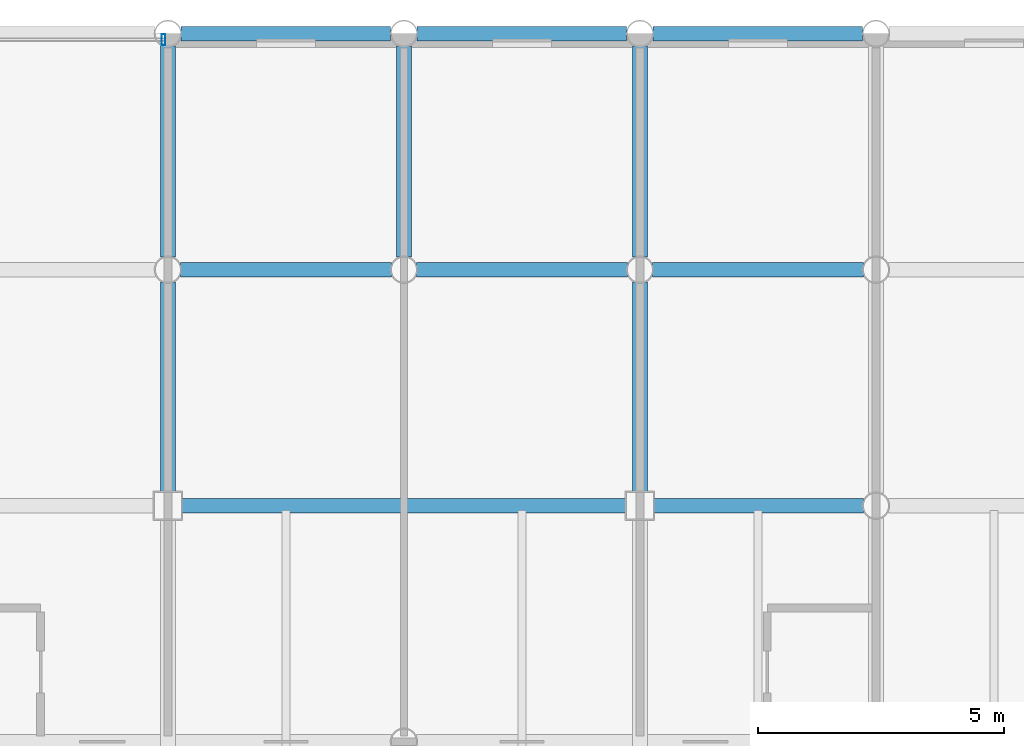
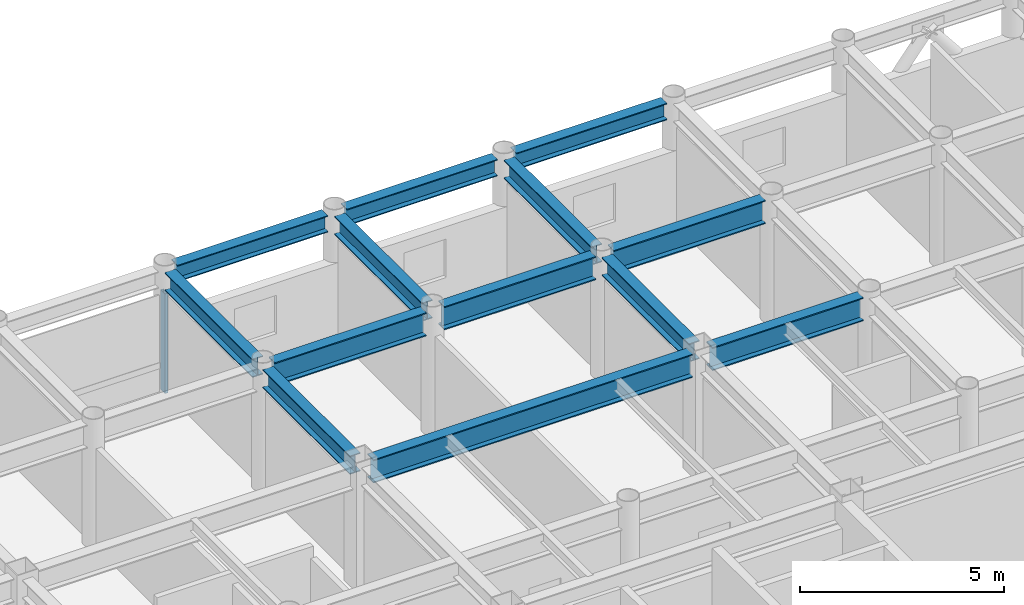
# One storey, part 15 of 24: 13 beams, 1 member, 1 element without a shape of its own.
"""IFC4 building model written with IfcOpenShell, lengths in metres."""

import ifcopenshell
import ifcopenshell.guid

model = None  # the IFC model being written
_history = None  # IfcOwnerHistory: only IFC2X3 demands one
_inside = {}  # id of a spatial element -> (the spatial element, [elements in it])
_under = {}  # id of a project, library or spatial element -> (it, [spatial elements below it])
_declared = {}  # id of a project -> (the project, [libraries it declares])
_typed = {}  # id of a type object -> (the type object, [elements of that type])
_made_of = {}  # id of a material, layer set ... -> (it, [elements and type objects made of it])


def new_model(schema):
    """Start an empty IFC model of exactly this schema.

    Asked for "IFC4X3", IfcOpenShell would pick the latest addendum, in which some entities
    have other attributes; the version numbers below select the first issue.
    IFC2X3 requires an IfcOwnerHistory on every rooted entity: one is made here for all.
    """
    global model, _history
    if schema == "IFC4X3":
        model = ifcopenshell.file(schema_version=(4, 3, 0, 0))
    else:
        model = ifcopenshell.file(schema=schema)
    _inside.clear()
    _under.clear()
    _declared.clear()
    _typed.clear()
    _made_of.clear()
    _history = None
    if model.schema == "IFC2X3":
        org = make("IfcOrganization", Name="unknown")
        user = make(
            "IfcPersonAndOrganization",
            ThePerson=make("IfcPerson", FamilyName="unknown"),
            TheOrganization=org,
        )
        app = make(
            "IfcApplication",
            ApplicationDeveloper=org,
            Version="unknown",
            ApplicationFullName="unknown",
            ApplicationIdentifier="unknown",
        )
        _history = make(
            "IfcOwnerHistory",
            OwningUser=user,
            OwningApplication=app,
            ChangeAction="ADDED",
            CreationDate=0,
        )
    return model


def make(cls, **values):
    """One entity of the class cls with the attributes given. An attribute that is None is left unset."""
    return model.create_entity(
        cls, **{name: value for name, value in values.items() if value is not None}
    )


def rooted(cls, **values):
    """An entity with a GlobalId (a new one), such as an element, a storey or a relation."""
    return make(cls, GlobalId=ifcopenshell.guid.new(), OwnerHistory=_history, **values)


def si_unit(unit_type, name, prefix=None):
    """IfcSIUnit, for example si_unit("LENGTHUNIT", "METRE", prefix="MILLI")."""
    return make("IfcSIUnit", UnitType=unit_type, Prefix=prefix, Name=name)


def assignment(units):
    """IfcUnitAssignment: the units of a project."""
    return None if units is None else make("IfcUnitAssignment", Units=units)


def point(xyz):
    """IfcCartesianPoint."""
    return None if xyz is None else make("IfcCartesianPoint", Coordinates=xyz)


def direction(xyz):
    """IfcDirection."""
    return None if xyz is None else make("IfcDirection", DirectionRatios=xyz)


def frame(location, z_axis=None, x_axis=None):
    """IfcAxis2Placement3D, a coordinate frame: its origin and axes. An axis left out is left unset."""
    return make(
        "IfcAxis2Placement3D",
        Location=point(location),
        Axis=direction(z_axis),
        RefDirection=direction(x_axis),
    )


def frame_2d(location, x_axis=None):
    """IfcAxis2Placement2D, a coordinate frame in the plane: its origin and x axis."""
    return make(
        "IfcAxis2Placement2D", Location=point(location), RefDirection=direction(x_axis)
    )


def origin():
    """The frame at (0, 0, 0) with its axes left unset."""
    return frame((0.0, 0.0, 0.0))


def origin_2d():
    """The frame at (0, 0) in the plane with its x axis left unset."""
    return frame_2d((0.0, 0.0))


def place(relative_to, where):
    """IfcLocalPlacement: puts the frame where relative to a parent placement (None: the world)."""
    return make(
        "IfcLocalPlacement", PlacementRelTo=relative_to, RelativePlacement=where
    )


def context(
    kind, dimensions, precision=None, world=None, true_north=None, identifier=None
):
    """IfcGeometricRepresentationContext, for example the 3D "Model" context."""
    return make(
        "IfcGeometricRepresentationContext",
        ContextIdentifier=identifier,
        ContextType=kind,
        CoordinateSpaceDimension=dimensions,
        Precision=precision,
        WorldCoordinateSystem=world,
        TrueNorth=true_north,
    )


def subcontext(parent, identifier, kind, view, scale=None):
    """IfcGeometricRepresentationSubContext, for example "Body" below "Model"."""
    return make(
        "IfcGeometricRepresentationSubContext",
        ContextIdentifier=identifier,
        ContextType=kind,
        ParentContext=parent,
        TargetScale=scale,
        TargetView=view,
    )


def project(units=None, contexts=None):
    """IfcProject with its units and contexts."""
    return rooted(
        "IfcProject",
        Name="project",
        RepresentationContexts=contexts,
        UnitsInContext=assignment(units),
    )


def spatial(cls, under=None, at=None, **own):
    """A site, building, storey or space (cls), placed at a placement, below another one or the project."""
    s = rooted(cls, ObjectPlacement=at, **own)
    if under is not None:
        _under.setdefault(under.id(), (under, []))[1].append(s)
    return s


def profile(cls, at=None, kind="AREA", **sizes):
    """A parametric profile (cls). Its sizes go by their IFC names, for example OverallWidth=200.0."""
    return make(cls, ProfileType=kind, Position=at, **sizes)


def hollow_rectangle(**sizes):
    """IfcRectangleHollowProfileDef."""
    return profile("IfcRectangleHollowProfileDef", **sizes)


def i_section(**sizes):
    """IfcIShapeProfileDef."""
    return profile("IfcIShapeProfileDef", **sizes)


def extrude(swept, where, along, depth):
    """IfcExtrudedAreaSolid: the profile swept, set in the frame where, extruded along a direction by depth."""
    return make(
        "IfcExtrudedAreaSolid",
        SweptArea=swept,
        Position=where,
        ExtrudedDirection=direction(along),
        Depth=depth,
    )


def shape(context_of_items, identifier, shape_type, items):
    """IfcShapeRepresentation: the items that make up one representation, for example the "Body"."""
    return make(
        "IfcShapeRepresentation",
        ContextOfItems=context_of_items,
        RepresentationIdentifier=identifier,
        RepresentationType=shape_type,
        Items=items,
    )


def material(Name=None, Category=None):
    """IfcMaterial."""
    return make("IfcMaterial", Name=Name, Category=Category)


def layer(
    of_material, thickness, ventilated=None, Name=None, Category=None, Priority=None
):
    """IfcMaterialLayer: one layer of a wall or slab, of a material (None: an air gap)."""
    return make(
        "IfcMaterialLayer",
        Material=of_material,
        LayerThickness=thickness,
        IsVentilated=ventilated,
        Name=Name,
        Category=Category,
        Priority=Priority,
    )


def layer_set(layers, Name=None):
    """IfcMaterialLayerSet."""
    return make("IfcMaterialLayerSet", MaterialLayers=layers, LayerSetName=Name)


def material_profile(
    of_material, cross_section, Name=None, Category=None, Priority=None
):
    """IfcMaterialProfile: a cross section and its material."""
    return make(
        "IfcMaterialProfile",
        Name=Name,
        Material=of_material,
        Profile=cross_section,
        Priority=Priority,
        Category=Category,
    )


def profile_set(profiles, Name=None, composite=None):
    """IfcMaterialProfileSet."""
    return make(
        "IfcMaterialProfileSet",
        Name=Name,
        MaterialProfiles=profiles,
        CompositeProfile=composite,
    )


def made_of(thing, what):
    """Note that an element or type object is made of a material, layer set ...; save() writes the relation."""
    if what is not None:
        _made_of.setdefault(what.id(), (what, []))[1].append(thing)
    return thing


def type_object(cls, material=None, **own):
    """A type object (cls), such as IfcWallType, which elements share."""
    return made_of(rooted(cls, **own), material)


def element(
    cls,
    number,
    at=None,
    inside=None,
    cuts=None,
    type_object=None,
    material=None,
    context=None,
    identifier="Body",
    shape_type=None,
    held_by="IfcProductDefinitionShape",
    body=None,
    shapes=None,
    **own,
):
    """One element of the class cls, such as IfcWall. Its Tag is "e" and its number.

    at: its placement. inside: the storey or other place that contains it. cuts: it is an
    opening in that element (IfcRelVoidsElement). A single representation is given by context,
    identifier, shape_type and body (its items); several are given by shapes. held_by: the class
    of the entity that holds the representations. save() writes the other relations.
    """
    e = rooted(cls, Tag="e%d" % number, ObjectPlacement=at, **own)
    if body is not None:
        shapes = [shape(context, identifier, shape_type, body)]
    if shapes is not None:
        e.Representation = make(held_by, Representations=shapes)
    if inside is not None:
        _inside.setdefault(inside.id(), (inside, []))[1].append(e)
    if cuts is not None:
        rooted(
            "IfcRelVoidsElement", RelatingBuildingElement=cuts, RelatedOpeningElement=e
        )
    if type_object is not None:
        _typed.setdefault(type_object.id(), (type_object, []))[1].append(e)
    return made_of(e, material)


def aggregate(whole, parts):
    """IfcRelAggregates: a whole, such as a stair, and the parts it consists of."""
    return rooted("IfcRelAggregates", RelatingObject=whole, RelatedObjects=parts)


def save(model, path):
    """Write the relations noted so far, then the file.

    IfcRelAggregates (storeys below a building ...), IfcRelContainedInSpatialStructure (elements
    in a storey), IfcRelDefinesByType, IfcRelAssociatesMaterial and IfcRelDeclares: one each for
    every whole, place, type object, material and project.
    """
    for whole, parts in _under.values():
        aggregate(whole, parts)
    for where, things in _inside.values():
        rooted(
            "IfcRelContainedInSpatialStructure",
            RelatedElements=things,
            RelatingStructure=where,
        )
    for kind, things in _typed.values():
        rooted("IfcRelDefinesByType", RelatedObjects=things, RelatingType=kind)
    for what, things in _made_of.values():
        rooted("IfcRelAssociatesMaterial", RelatedObjects=things, RelatingMaterial=what)
    for by, libraries in _declared.values():
        rooted("IfcRelDeclares", RelatingContext=by, RelatedDefinitions=libraries)
    model.write(path)


model = new_model("IFC4")

# Units and contexts
model_context = context("Model", 3, precision=1e-05, world=origin(), true_north=direction((0.0, 1.0)))
body_context = subcontext(model_context, "Body", "Model", "MODEL_VIEW")
ifc_project = project(units=[si_unit("LENGTHUNIT", "METRE"), si_unit("AREAUNIT", "SQUARE_METRE"), si_unit("VOLUMEUNIT", "CUBIC_METRE"), si_unit("PLANEANGLEUNIT", "RADIAN"), si_unit("MASSUNIT", "GRAM", prefix="KILO")], contexts=[model_context])

# Site, building, storey
site_placement = place(None, origin())
site = spatial("IfcSite", under=ifc_project, at=site_placement, CompositionType="ELEMENT")
building_placement = place(site_placement, origin())
building = spatial("IfcBuilding", under=site, at=building_placement, Name="Kallvorn Hotel Tower", CompositionType="ELEMENT")
storey_placement = place(building_placement, frame((0.0, 0.0, 233.85009765625)))
storey = spatial("IfcBuildingStorey", under=building, at=storey_placement, Name="L58", CompositionType="ELEMENT", Elevation=233.85009765625)

# Beams
ifc_material_1 = material(Name="Structural steel S355JR", Category="steel")
ifc_material_profile_1 = material_profile(ifc_material_1, i_section(OverallWidth=0.300048828125, OverallDepth=0.5, WebThickness=0.014404296875, FlangeThickness=0.028076171875, at=origin_2d()), Name="HE 500 B")
ifc_profile_set_1 = profile_set([ifc_material_profile_1], Name="Structural steel S355JR")
beam_type_1 = type_object("IfcBeamType", Name="BM_HE500B", PredefinedType="SPANDREL", material=ifc_profile_set_1)
beam_1_placement = place(storey_placement, frame((5.069580078125, 24.0, 3.419921875), z_axis=(1.0, 0.0, 0.0), x_axis=(0.0, 1.0, 0.0)))
element("IfcBeam", 1, at=beam_1_placement, inside=storey, type_object=beam_type_1, Name="L59 Perimeter Spandrel 169", PredefinedType="SPANDREL", context=body_context, shape_type="SweptSolid", body=[
    extrude(i_section(OverallWidth=0.300048828125, OverallDepth=0.5, WebThickness=0.014404296875, FlangeThickness=0.028076171875, at=origin_2d()), origin(), (0.0, 0.0, 1.0), 4.260986328125),
])
beam_2_placement = place(storey_placement, frame((9.869384765625, 24.0, 3.419921875), z_axis=(1.0, 0.0, 0.0), x_axis=(0.0, 1.0, 0.0)))
element("IfcBeam", 2, at=beam_2_placement, inside=storey, type_object=beam_type_1, Name="L59 Perimeter Spandrel 170", PredefinedType="SPANDREL", context=body_context, shape_type="SweptSolid", body=[
    extrude(i_section(OverallWidth=0.300048828125, OverallDepth=0.5, WebThickness=0.014404296875, FlangeThickness=0.028076171875, at=origin_2d()), origin(), (0.0, 0.0, 1.0), 4.26123046875),
])
beam_3_placement = place(storey_placement, frame((14.66943359375, 24.0, 3.419921875), z_axis=(1.0, 0.0, 0.0), x_axis=(0.0, 1.0, 0.0)))
element("IfcBeam", 3, at=beam_3_placement, inside=storey, type_object=beam_type_1, Name="L59 Perimeter Spandrel 171", PredefinedType="SPANDREL", context=body_context, shape_type="SweptSolid", body=[
    extrude(i_section(OverallWidth=0.300048828125, OverallDepth=0.5, WebThickness=0.014404296875, FlangeThickness=0.028076171875, at=origin_2d()), origin(), (0.0, 0.0, 1.0), 4.260986328125),
])
ifc_material_2 = material(Name="Structural steel S355JR", Category="steel")
ifc_material_profile_2 = material_profile(ifc_material_2, i_section(OverallWidth=0.300048828125, OverallDepth=0.550048828125, WebThickness=0.014892578125, FlangeThickness=0.029052734375, at=origin_2d()), Name="HE 550 B")
ifc_profile_set_2 = profile_set([ifc_material_profile_2], Name="Structural steel S355JR")
beam_type_2 = type_object("IfcBeamType", Name="BM_HE550B", PredefinedType="SPANDREL", material=ifc_profile_set_2)
beam_4_placement = place(storey_placement, frame((4.800048828125, 14.675048828125, 3.39501953125), z_axis=(0.0, 1.0, 0.0), x_axis=(-1.0, 0.0, 0.0)))
element("IfcBeam", 4, at=beam_4_placement, inside=storey, type_object=beam_type_2, Name="L59 Primary Y-Girder 116", PredefinedType="SPANDREL", context=body_context, shape_type="SweptSolid", body=[
    extrude(i_section(OverallWidth=0.300048828125, OverallDepth=0.550048828125, WebThickness=0.014892578125, FlangeThickness=0.029052734375, at=origin_2d()), origin(), (0.0, 0.0, 1.0), 4.2705078125),
])
for number, where, z_axis, x_axis, name in (
    (5, (4.800048828125, 19.45458984375, 3.39501953125), (0.0, 1.0, 0.0), (-1.0, 0.0, 0.0), "L59 Primary Y-Girder 117"),
    (6, (9.60009765625, 19.45458984375, 3.39501953125), (0.0, 1.0, 0.0), (-1.0, 0.0, 0.0), "L59 Primary Y-Girder 120"),
):
    element("IfcBeam", number, at=place(storey_placement, frame(where, z_axis=z_axis, x_axis=x_axis)), inside=storey, type_object=beam_type_2, Name=name, PredefinedType="SPANDREL", context=body_context, shape_type="SweptSolid", body=[
        extrude(i_section(OverallWidth=0.300048828125, OverallDepth=0.550048828125, WebThickness=0.014892578125, FlangeThickness=0.029052734375, at=origin_2d()), origin(), (0.0, 0.0, 1.0), 4.291015625),
    ])
beam_5_placement = place(storey_placement, frame((14.39990234375, 14.675048828125, 3.39501953125), z_axis=(0.0, 1.0, 0.0), x_axis=(-1.0, 0.0, 0.0)))
element("IfcBeam", 7, at=beam_5_placement, inside=storey, type_object=beam_type_2, Name="L59 Primary Y-Girder 124", PredefinedType="SPANDREL", context=body_context, shape_type="SweptSolid", body=[
    extrude(i_section(OverallWidth=0.300048828125, OverallDepth=0.550048828125, WebThickness=0.014892578125, FlangeThickness=0.029052734375, at=origin_2d()), origin(), (0.0, 0.0, 1.0), 4.2705078125),
])
beam_6_placement = place(storey_placement, frame((14.39990234375, 19.45458984375, 3.39501953125), z_axis=(0.0, 1.0, 0.0), x_axis=(-1.0, 0.0, 0.0)))
element("IfcBeam", 8, at=beam_6_placement, inside=storey, type_object=beam_type_2, Name="L59 Primary Y-Girder 125", PredefinedType="SPANDREL", context=body_context, shape_type="SweptSolid", body=[
    extrude(i_section(OverallWidth=0.300048828125, OverallDepth=0.550048828125, WebThickness=0.014892578125, FlangeThickness=0.029052734375, at=origin_2d()), origin(), (0.0, 0.0, 1.0), 4.291015625),
])
ifc_material_3 = material(Name="Structural steel S355JR", Category="steel")
ifc_material_profile_3 = material_profile(ifc_material_3, i_section(OverallWidth=0.300048828125, OverallDepth=0.699951171875, WebThickness=0.01708984375, FlangeThickness=0.031982421875, at=origin_2d()), Name="HE 700 B")
ifc_profile_set_3 = profile_set([ifc_material_profile_3], Name="Structural steel S355JR")
beam_type_3 = type_object("IfcBeamType", Name="BM_HE700B", PredefinedType="BEAM", material=ifc_profile_set_3)
beam_7_placement = place(storey_placement, frame((5.074951171875, 14.39990234375, 3.31982421875), z_axis=(1.0, 0.0, 0.0), x_axis=(0.0, 1.0, 0.0)))
element("IfcBeam", 9, at=beam_7_placement, inside=storey, type_object=beam_type_3, Name="L59 Primary X-Girder 55", PredefinedType="BEAM", context=body_context, shape_type="SweptSolid", body=[
    extrude(i_section(OverallWidth=0.300048828125, OverallDepth=0.699951171875, WebThickness=0.01708984375, FlangeThickness=0.031982421875, at=origin_2d()), origin(), (0.0, 0.0, 1.0), 9.050048828125),
])
beam_8_placement = place(storey_placement, frame((14.675048828125, 14.39990234375, 3.31982421875), z_axis=(1.0, 0.0, 0.0), x_axis=(0.0, 1.0, 0.0)))
element("IfcBeam", 10, at=beam_8_placement, inside=storey, type_object=beam_type_3, Name="L59 Primary X-Girder 56", PredefinedType="BEAM", context=body_context, shape_type="SweptSolid", body=[
    extrude(i_section(OverallWidth=0.300048828125, OverallDepth=0.699951171875, WebThickness=0.01708984375, FlangeThickness=0.031982421875, at=origin_2d()), origin(), (0.0, 0.0, 1.0), 4.2705078125),
])
for number, where, z_axis, x_axis, name in (
    (11, (5.054443359375, 19.199951171875, 3.31982421875), (1.0, 0.0, 0.0), (0.0, 1.0, 0.0), "L59 Primary X-Girder 67"),
    (12, (9.8544921875, 19.199951171875, 3.31982421875), (1.0, 0.0, 0.0), (0.0, 1.0, 0.0), "L59 Primary X-Girder 68"),
    (13, (14.654541015625, 19.199951171875, 3.31982421875), (1.0, 0.0, 0.0), (0.0, 1.0, 0.0), "L59 Primary X-Girder 69"),
):
    element("IfcBeam", number, at=place(storey_placement, frame(where, z_axis=z_axis, x_axis=x_axis)), inside=storey, type_object=beam_type_3, Name=name, PredefinedType="BEAM", context=body_context, shape_type="SweptSolid", body=[
        extrude(i_section(OverallWidth=0.300048828125, OverallDepth=0.699951171875, WebThickness=0.01708984375, FlangeThickness=0.031982421875, at=origin_2d()), origin(), (0.0, 0.0, 1.0), 4.291015625),
    ])

# Curtain wall, member
ifc_material_4 = material(Name="Thermally broken black-anodised aluminium AA 6063-T6", Category="aluminium")
ifc_layer = layer(ifc_material_4, 0.22998046875)
ifc_layer_set = layer_set([ifc_layer], Name="CW_SYS_5_HOTEL_HIGH")
curtain_wall_type = type_object("IfcCurtainWallType", Name="CW_SYS_5_HOTEL_HIGH", PredefinedType="USERDEFINED", material=ifc_layer_set)
curtain_wall_placement = place(storey_placement, origin())
curtain_wall = element("IfcCurtainWall", 14, at=curtain_wall_placement, inside=storey, type_object=curtain_wall_type, Name="L58 Dark-Glass Curtain Wall CW-L58-NC", ObjectType="UNITISED CURTAIN WALL", PredefinedType="USERDEFINED")
ifc_material_5 = material(Name="Thermally broken black-anodised aluminium AA 6063-T6", Category="aluminium")
ifc_material_profile_4 = material_profile(ifc_material_5, hollow_rectangle(XDim=0.080078125, YDim=0.219970703125, WallThickness=0.0048828125, at=origin_2d()), Name="MUL 220x80")
ifc_profile_set_4 = profile_set([ifc_material_profile_4], Name="Thermally broken black-anodised aluminium AA 6063-T6")
member_type = type_object("IfcMemberType", Name="CW_MULLION_220x80", PredefinedType="MULLION", material=ifc_profile_set_4)
member_placement = place(storey_placement, frame((4.7099609375, 23.8798828125, 0.02001953125), z_axis=(0.0, 0.0, 1.0), x_axis=(1.0, 0.0, 0.0)))
member = element("IfcMember", 15, at=member_placement, type_object=member_type, Name="CW-L58-NC Mullion 02", PredefinedType="MULLION", context=body_context, shape_type="SweptSolid", body=[
    extrude(hollow_rectangle(XDim=0.080078125, YDim=0.219970703125, WallThickness=0.0048828125, at=origin_2d()), origin(), (0.0, 0.0, 1.0), 2.97998046875),
])
aggregate(curtain_wall, [member])

save(model, "model.ifc")
